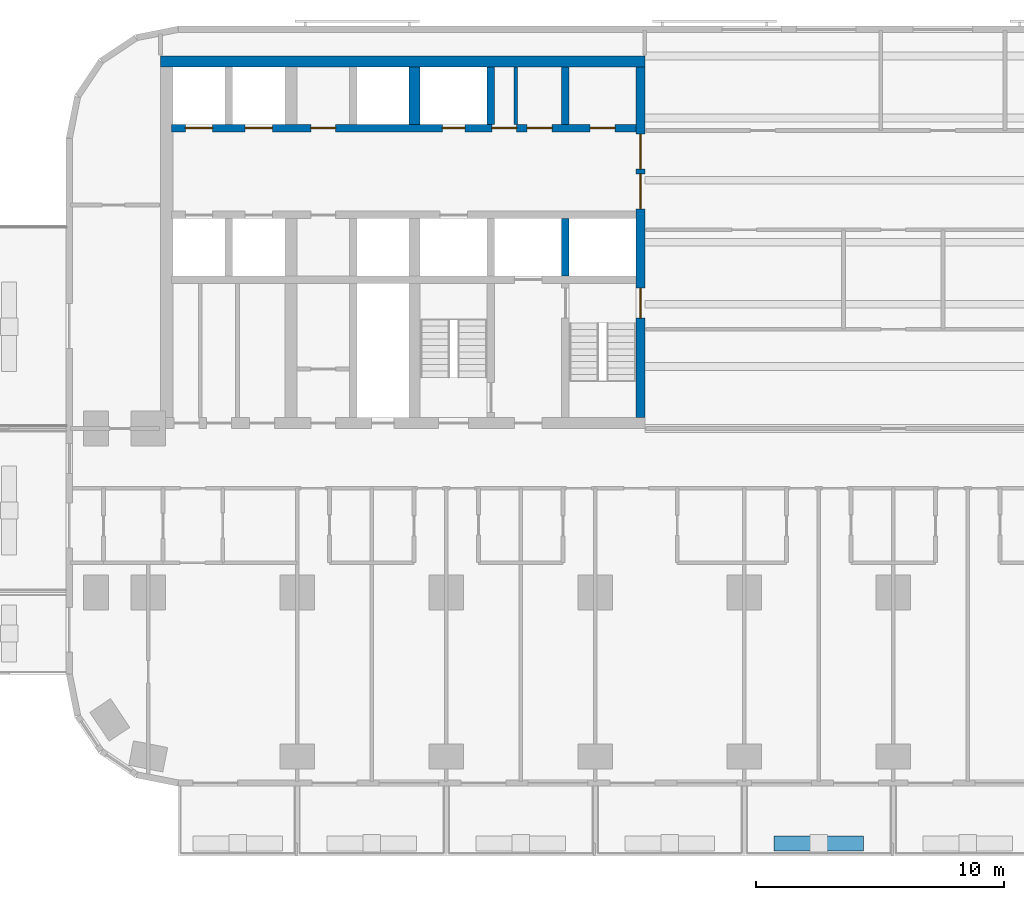
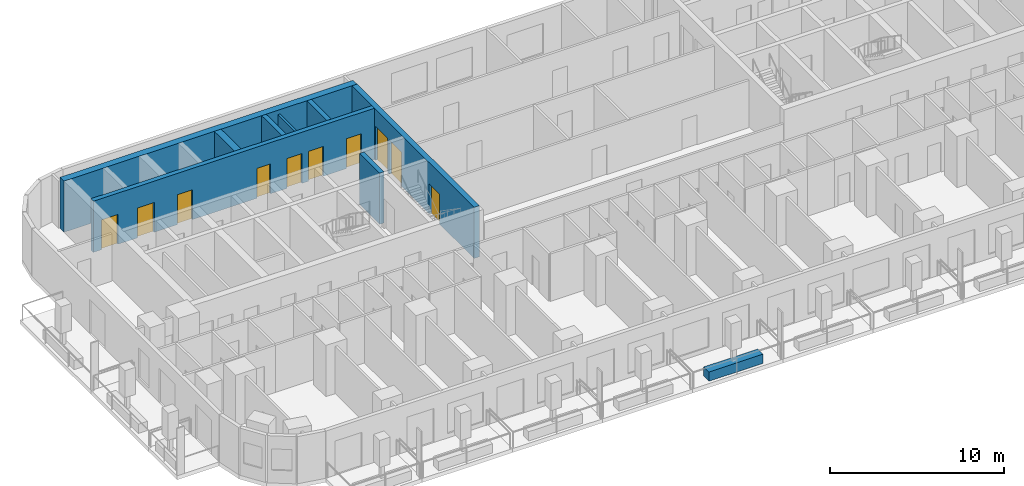
# One storey, part 4 of 15: 10 doors, 9 walls, 10 openings.
"""IFC4 building model written with IfcOpenShell, lengths in metres."""

from ifc_helpers import new_model, si_unit, direction, frame, frame_2d, origin, place, context, subcontext, project, spatial, rectangle, extrude, material, layer, layer_set, type_object, element, fill, save


model = new_model("IFC4")

# Units and contexts
model_context = context("Model", 3, precision=1e-05, world=origin(), true_north=direction((0.0, 1.0)))
body_context = subcontext(model_context, "Body", "Model", "MODEL_VIEW")
ifc_project = project(units=[si_unit("LENGTHUNIT", "METRE"), si_unit("AREAUNIT", "SQUARE_METRE"), si_unit("VOLUMEUNIT", "CUBIC_METRE"), si_unit("PLANEANGLEUNIT", "RADIAN"), si_unit("MASSUNIT", "GRAM", prefix="KILO")], contexts=[model_context])

# Site, building, storey
site_placement = place(None, origin())
site = spatial("IfcSite", under=ifc_project, at=site_placement, CompositionType="ELEMENT")
building_placement = place(site_placement, origin())
building = spatial("IfcBuilding", under=site, at=building_placement, Name="Torana Hotel and Residences", CompositionType="ELEMENT")
storey_placement = place(building_placement, frame((0.0, 0.0, 49.199951171875)))
storey = spatial("IfcBuildingStorey", under=building, at=storey_placement, Name="L11", CompositionType="ELEMENT", Elevation=49.199951171875)

# Wall, openings, doors
ifc_material_1 = material(Name="Concrete C80/95", Category="concrete")
ifc_layer_1 = layer(ifc_material_1, 0.300048828125)
ifc_layer_set_1 = layer_set([ifc_layer_1], Name="CORE WALL 300 C80/95")
wall_type_1 = type_object("IfcWallType", Name="CORE WALL 300 C80/95", PredefinedType="SHEAR", material=ifc_layer_set_1)
wall_1_placement = place(storey_placement, frame((-29.050048828125, -2.89990234375, 0.0), z_axis=(0.0, 0.0, 1.0), x_axis=(1.0, 0.0, 0.0)))
wall_1 = element("IfcWall", 1, at=wall_1_placement, inside=storey, type_object=wall_type_1, Name="Core wall W row-N", PredefinedType="SHEAR", context=body_context, shape_type="SweptSolid", body=[
    extrude(rectangle(XDim=18.699951171875, YDim=0.300048828125, at=frame_2d((9.35009765625, 0.0))), origin(), (0.0, 0.0, 1.0), 3.60009765625),
])
opening_1_placement = place(wall_1_placement, frame((2.949951171875, 0.0, 0.0)))
opening_1 = element("IfcOpeningElement", 2, at=opening_1_placement, cuts=wall_1, Name="Opening LD", PredefinedType="OPENING", context=body_context, shape_type="SweptSolid", body=[
    extrude(rectangle(XDim=1.10009765625, YDim=2.10009765625, at=frame_2d((0.550048828125, 1.050048828125))), frame((0.0, 0.159912109375, 0.0), z_axis=(0.0, -1.0, 0.0), x_axis=(1.0, 0.0, 0.0)), (0.0, 0.0, 1.0), 0.320068359375),
])
opening_2_placement = place(wall_1_placement, frame((0.550048828125, 0.0, 0.0)))
opening_2 = element("IfcOpeningElement", 3, at=opening_2_placement, cuts=wall_1, Name="Opening LD", PredefinedType="OPENING", context=body_context, shape_type="SweptSolid", body=[
    extrude(rectangle(XDim=1.10009765625, YDim=2.10009765625, at=frame_2d((0.550048828125, 1.050048828125))), frame((0.0, 0.159912109375, 0.0), z_axis=(0.0, -1.0, 0.0), x_axis=(1.0, 0.0, 0.0)), (0.0, 0.0, 1.0), 0.320068359375),
])
opening_3_placement = place(wall_1_placement, frame((10.89990234375, 0.0, 0.0)))
opening_3 = element("IfcOpeningElement", 4, at=opening_3_placement, cuts=wall_1, Name="Opening L11-11", PredefinedType="OPENING", context=body_context, shape_type="SweptSolid", body=[
    extrude(rectangle(XDim=0.89990234375, YDim=2.10009765625, at=frame_2d((0.449951171875, 1.050048828125))), frame((0.0, 0.159912109375, 0.0), z_axis=(0.0, -1.0, 0.0), x_axis=(1.0, 0.0, 0.0)), (0.0, 0.0, 1.0), 0.320068359375),
])
opening_4_placement = place(wall_1_placement, frame((16.85009765625, 0.0, 0.0)))
opening_4 = element("IfcOpeningElement", 5, at=opening_4_placement, cuts=wall_1, Name="Opening L11-12", PredefinedType="OPENING", context=body_context, shape_type="SweptSolid", body=[
    extrude(rectangle(XDim=1.0, YDim=2.10009765625, at=frame_2d((0.5, 1.050048828125))), frame((0.0, 0.159912109375, 0.0), z_axis=(0.0, -1.0, 0.0), x_axis=(1.0, 0.0, 0.0)), (0.0, 0.0, 1.0), 0.320068359375),
])
opening_5_placement = place(wall_1_placement, frame((14.3125, 0.0, 0.0)))
opening_5 = element("IfcOpeningElement", 6, at=opening_5_placement, cuts=wall_1, Name="Opening L11-13", PredefinedType="OPENING", context=body_context, shape_type="SweptSolid", body=[
    extrude(rectangle(XDim=1.0, YDim=2.10009765625, at=frame_2d((0.5, 1.050048828125))), frame((0.0, 0.159912109375, 0.0), z_axis=(0.0, -1.0, 0.0), x_axis=(1.0, 0.0, 0.0)), (0.0, 0.0, 1.0), 0.320068359375),
])
opening_6_placement = place(wall_1_placement, frame((12.887451171875, 0.0, 0.0)))
opening_6 = element("IfcOpeningElement", 7, at=opening_6_placement, cuts=wall_1, Name="Opening L11-14", PredefinedType="OPENING", context=body_context, shape_type="SweptSolid", body=[
    extrude(rectangle(XDim=1.0, YDim=2.10009765625, at=frame_2d((0.5, 1.050048828125))), frame((0.0, 0.159912109375, 0.0), z_axis=(0.0, -1.0, 0.0), x_axis=(1.0, 0.0, 0.0)), (0.0, 0.0, 1.0), 0.320068359375),
])
opening_7_placement = place(wall_1_placement, frame((5.60009765625, 0.0, 0.0)))
opening_7 = element("IfcOpeningElement", 8, at=opening_7_placement, cuts=wall_1, Name="Opening L11-15", PredefinedType="OPENING", context=body_context, shape_type="SweptSolid", body=[
    extrude(rectangle(XDim=1.0, YDim=2.10009765625, at=frame_2d((0.5, 1.050048828125))), frame((0.0, 0.159912109375, 0.0), z_axis=(0.0, -1.0, 0.0), x_axis=(1.0, 0.0, 0.0)), (0.0, 0.0, 1.0), 0.320068359375),
])
ifc_material_2 = material(Name="Steel S235", Category="steel")
door_type_1 = type_object("IfcDoorType", Name="CORE ROOM FIRE DOOR D14 1000x2100", OperationType="SINGLE_SWING_LEFT", PredefinedType="DOOR", material=ifc_material_2)
door_1_placement = place(opening_4_placement, origin())
door_1 = element("IfcDoor", 9, at=door_1_placement, inside=storey, type_object=door_type_1, Name="N0 door L11", OperationType="SINGLE_SWING_RIGHT", OverallHeight=2.10009765625, OverallWidth=1.0, PredefinedType="DOOR", context=body_context, shape_type="SweptSolid", body=[
    extrude(rectangle(XDim=1.0, YDim=2.10009765625, at=frame_2d((0.5, 1.050048828125))), frame((0.0, 0.02490234375, 0.0), z_axis=(0.0, -1.0, 0.0), x_axis=(1.0, 0.0, 0.0)), (0.0, 0.0, 1.0), 0.050048828125),
])
fill(opening_4, door_1)
door_2_placement = place(opening_5_placement, origin())
door_2 = element("IfcDoor", 10, at=door_2_placement, inside=storey, type_object=door_type_1, Name="N1A door L11", OperationType="SINGLE_SWING_RIGHT", OverallHeight=2.10009765625, OverallWidth=1.0, PredefinedType="DOOR", context=body_context, shape_type="SweptSolid", body=[
    extrude(rectangle(XDim=1.0, YDim=2.10009765625, at=frame_2d((0.5, 1.050048828125))), frame((0.0, 0.02490234375, 0.0), z_axis=(0.0, -1.0, 0.0), x_axis=(1.0, 0.0, 0.0)), (0.0, 0.0, 1.0), 0.050048828125),
])
fill(opening_5, door_2)
door_3_placement = place(opening_6_placement, origin())
door_3 = element("IfcDoor", 11, at=door_3_placement, inside=storey, type_object=door_type_1, Name="N1B door L11", OperationType="SINGLE_SWING_RIGHT", OverallHeight=2.10009765625, OverallWidth=1.0, PredefinedType="DOOR", context=body_context, shape_type="SweptSolid", body=[
    extrude(rectangle(XDim=1.0, YDim=2.10009765625, at=frame_2d((0.5, 1.050048828125))), frame((0.0, 0.02490234375, 0.0), z_axis=(0.0, -1.0, 0.0), x_axis=(1.0, 0.0, 0.0)), (0.0, 0.0, 1.0), 0.050048828125),
])
fill(opening_6, door_3)
door_4_placement = place(opening_7_placement, origin())
door_4 = element("IfcDoor", 12, at=door_4_placement, inside=storey, type_object=door_type_1, Name="Free-M1 door L11", OperationType="SINGLE_SWING_RIGHT", OverallHeight=2.10009765625, OverallWidth=1.0, PredefinedType="DOOR", context=body_context, shape_type="SweptSolid", body=[
    extrude(rectangle(XDim=1.0, YDim=2.10009765625, at=frame_2d((0.5, 1.050048828125))), frame((0.0, 0.02490234375, 0.0), z_axis=(0.0, -1.0, 0.0), x_axis=(1.0, 0.0, 0.0)), (0.0, 0.0, 1.0), 0.050048828125),
])
fill(opening_7, door_4)
ifc_material_3 = material(Name="Stainless steel 316", Category="steel")
door_type_2 = type_object("IfcDoorType", Name="LIFT LANDING DOOR LD 1100x2100", OperationType="DOUBLE_DOOR_SLIDING", PredefinedType="USERDEFINED", material=ifc_material_3)
door_5_placement = place(opening_1_placement, origin())
door_5 = element("IfcDoor", 13, at=door_5_placement, inside=storey, type_object=door_type_2, Name="Lift landing door L1 L11", ObjectType="LIFT LANDING DOOR", OperationType="DOUBLE_DOOR_SLIDING", OverallHeight=2.10009765625, OverallWidth=1.10009765625, PredefinedType="USERDEFINED", context=body_context, shape_type="SweptSolid", body=[
    extrude(rectangle(XDim=1.10009765625, YDim=2.10009765625, at=frame_2d((0.550048828125, 1.050048828125))), frame((0.0, 0.02490234375, 0.0), z_axis=(0.0, -1.0, 0.0), x_axis=(1.0, 0.0, 0.0)), (0.0, 0.0, 1.0), 0.050048828125),
])
fill(opening_1, door_5)
door_6_placement = place(opening_2_placement, origin())
door_6 = element("IfcDoor", 14, at=door_6_placement, inside=storey, type_object=door_type_2, Name="Lift landing door L2 L11", ObjectType="LIFT LANDING DOOR", OperationType="DOUBLE_DOOR_SLIDING", OverallHeight=2.10009765625, OverallWidth=1.10009765625, PredefinedType="USERDEFINED", context=body_context, shape_type="SweptSolid", body=[
    extrude(rectangle(XDim=1.10009765625, YDim=2.10009765625, at=frame_2d((0.550048828125, 1.050048828125))), frame((0.0, 0.02490234375, 0.0), z_axis=(0.0, -1.0, 0.0), x_axis=(1.0, 0.0, 0.0)), (0.0, 0.0, 1.0), 0.050048828125),
])
fill(opening_2, door_6)
ifc_material_4 = material(Name="Steel S235", Category="steel")
door_type_3 = type_object("IfcDoorType", Name="RISER ACCESS DOOR D5 900x2100", OperationType="SINGLE_SWING_LEFT", PredefinedType="DOOR", material=ifc_material_4)
door_7_placement = place(opening_3_placement, origin())
door_7 = element("IfcDoor", 15, at=door_7_placement, inside=storey, type_object=door_type_3, Name="N2 door L11", OperationType="SINGLE_SWING_RIGHT", OverallHeight=2.10009765625, OverallWidth=0.89990234375, PredefinedType="DOOR", context=body_context, shape_type="SweptSolid", body=[
    extrude(rectangle(XDim=0.89990234375, YDim=2.10009765625, at=frame_2d((0.449951171875, 1.050048828125))), frame((0.0, 0.02490234375, 0.0), z_axis=(0.0, -1.0, 0.0), x_axis=(1.0, 0.0, 0.0)), (0.0, 0.0, 1.0), 0.050048828125),
])
fill(opening_3, door_7)

# Walls
for number, where, z_axis, x_axis, name in (
    (16, (-13.199951171875, -2.75, 0.0), (0.0, 0.0, 1.0), (0.0, 1.0, 0.0), "Core wall W x3.05-N"),
    (17, (-13.199951171875, -8.85009765625, 0.0), (0.0, 0.0, 1.0), (0.0, 1.0, 0.0), "Core wall W x3.05-S"),
    (18, (-16.199951171875, -2.75, 0.0), (0.0, 0.0, 1.0), (0.0, 1.0, 0.0), "Core wall W x6.05-N"),
):
    element("IfcWall", number, at=place(storey_placement, frame(where, z_axis=z_axis, x_axis=x_axis)), inside=storey, type_object=wall_type_1, Name=name, PredefinedType="SHEAR", context=body_context, shape_type="SweptSolid", body=[
        extrude(rectangle(XDim=2.300048828125, YDim=0.300048828125, at=frame_2d((1.14990234375, 0.0))), origin(), (0.0, 0.0, 1.0), 3.60009765625),
    ])

# Wall, openings, doors
ifc_material_5 = material(Name="Concrete C80/95", Category="concrete")
ifc_layer_2 = layer(ifc_material_5, 0.35009765625)
ifc_layer_set_2 = layer_set([ifc_layer_2], Name="CORE WALL 350 C80/95")
wall_type_2 = type_object("IfcWallType", Name="CORE WALL 350 C80/95", PredefinedType="SHEAR", material=ifc_layer_set_2)
wall_2_placement = place(storey_placement, frame((-10.175048828125, -14.550048828125, 0.0), z_axis=(0.0, 0.0, 1.0), x_axis=(0.0, 1.0, 0.0)))
wall_2 = element("IfcWall", 19, at=wall_2_placement, inside=storey, type_object=wall_type_2, Name="Core wall W arch", PredefinedType="SHEAR", context=body_context, shape_type="SweptSolid", body=[
    extrude(rectangle(XDim=14.10009765625, YDim=0.35009765625, at=frame_2d((7.050048828125, 0.0))), origin(), (0.0, 0.0, 1.0), 3.60009765625),
])
opening_8_placement = place(wall_2_placement, frame((8.39990234375, 0.0, 0.0)))
opening_8 = element("IfcOpeningElement", 20, at=opening_8_placement, cuts=wall_2, Name="Opening L11-01", PredefinedType="OPENING", context=body_context, shape_type="SweptSolid", body=[
    extrude(rectangle(XDim=1.39990234375, YDim=2.39990234375, at=frame_2d((0.699951171875, 1.199951171875))), frame((0.0, 0.18505859375, 0.0), z_axis=(0.0, -1.0, 0.0), x_axis=(1.0, 0.0, 0.0)), (0.0, 0.0, 1.0), 0.3701171875),
])
opening_9_placement = place(wall_2_placement, frame((10.0, 0.0, 0.0)))
opening_9 = element("IfcOpeningElement", 21, at=opening_9_placement, cuts=wall_2, Name="Opening L11-02", PredefinedType="OPENING", context=body_context, shape_type="SweptSolid", body=[
    extrude(rectangle(XDim=1.39990234375, YDim=2.39990234375, at=frame_2d((0.699951171875, 1.199951171875))), frame((0.0, 0.18505859375, 0.0), z_axis=(0.0, -1.0, 0.0), x_axis=(1.0, 0.0, 0.0)), (0.0, 0.0, 1.0), 0.3701171875),
])
opening_10_placement = place(wall_2_placement, frame((4.0, 0.0, 0.0)))
opening_10 = element("IfcOpeningElement", 22, at=opening_10_placement, cuts=wall_2, Name="Opening L11-03", PredefinedType="OPENING", context=body_context, shape_type="SweptSolid", body=[
    extrude(rectangle(XDim=1.199951171875, YDim=2.10009765625, at=frame_2d((0.60009765625, 1.050048828125))), frame((0.0, 0.18505859375, 0.0), z_axis=(0.0, -1.0, 0.0), x_axis=(1.0, 0.0, 0.0)), (0.0, 0.0, 1.0), 0.3701171875),
])
ifc_material_6 = material(Name="Steel S235", Category="steel")
door_type_4 = type_object("IfcDoorType", Name="LOBBY FIRE DOOR D4 1400x2400", OperationType="DOUBLE_DOOR_SINGLE_SWING", PredefinedType="DOOR", material=ifc_material_6)
door_8_placement = place(opening_8_placement, origin())
door_8 = element("IfcDoor", 23, at=door_8_placement, inside=storey, type_object=door_type_4, Name="Lobby-1 door L11", OperationType="DOUBLE_DOOR_SINGLE_SWING", OverallHeight=2.39990234375, OverallWidth=1.39990234375, PredefinedType="DOOR", context=body_context, shape_type="SweptSolid", body=[
    extrude(rectangle(XDim=1.39990234375, YDim=2.39990234375, at=frame_2d((0.699951171875, 1.199951171875))), frame((0.0, 0.02490234375, 0.0), z_axis=(0.0, -1.0, 0.0), x_axis=(1.0, 0.0, 0.0)), (0.0, 0.0, 1.0), 0.050048828125),
])
fill(opening_8, door_8)
door_9_placement = place(opening_9_placement, origin())
door_9 = element("IfcDoor", 24, at=door_9_placement, inside=storey, type_object=door_type_4, Name="Lobby-2 door L11", OperationType="DOUBLE_DOOR_SINGLE_SWING", OverallHeight=2.39990234375, OverallWidth=1.39990234375, PredefinedType="DOOR", context=body_context, shape_type="SweptSolid", body=[
    extrude(rectangle(XDim=1.39990234375, YDim=2.39990234375, at=frame_2d((0.699951171875, 1.199951171875))), frame((0.0, 0.02490234375, 0.0), z_axis=(0.0, -1.0, 0.0), x_axis=(1.0, 0.0, 0.0)), (0.0, 0.0, 1.0), 0.050048828125),
])
fill(opening_9, door_9)
ifc_material_7 = material(Name="Steel S235", Category="steel")
door_type_5 = type_object("IfcDoorType", Name="STAIR FIRE DOOR D3 1200x2100", OperationType="SINGLE_SWING_LEFT", PredefinedType="DOOR", material=ifc_material_7)
door_10_placement = place(opening_10_placement, origin())
door_10 = element("IfcDoor", 25, at=door_10_placement, inside=storey, type_object=door_type_5, Name="Stair-A door L11", OperationType="SINGLE_SWING_LEFT", OverallHeight=2.10009765625, OverallWidth=1.199951171875, PredefinedType="DOOR", context=body_context, shape_type="SweptSolid", body=[
    extrude(rectangle(XDim=1.199951171875, YDim=2.10009765625, at=frame_2d((0.60009765625, 1.050048828125))), frame((0.0, 0.02490234375, 0.0), z_axis=(0.0, -1.0, 0.0), x_axis=(1.0, 0.0, 0.0)), (0.0, 0.0, 1.0), 0.050048828125),
])
fill(opening_10, door_10)

# Walls
ifc_material_8 = material(Name="Concrete C80/95", Category="concrete")
ifc_layer_3 = layer(ifc_material_8, 0.449951171875)
ifc_layer_set_3 = layer_set([ifc_layer_3], Name="CORE WALL 450 C80/95")
wall_type_3 = type_object("IfcWallType", Name="CORE WALL 450 C80/95", PredefinedType="SHEAR", material=ifc_layer_set_3)
wall_3_placement = place(storey_placement, frame((-29.5, -0.22509765625, 0.0), z_axis=(0.0, 0.0, 1.0), x_axis=(1.0, 0.0, 0.0)))
element("IfcWall", 26, at=wall_3_placement, inside=storey, type_object=wall_type_3, Name="Core wall W rear", PredefinedType="SHEAR", context=body_context, shape_type="SweptSolid", body=[
    extrude(rectangle(XDim=19.5, YDim=0.449951171875, at=frame_2d((9.75, 0.0))), origin(), (0.0, 0.0, 1.0), 3.60009765625),
])
wall_4_placement = place(storey_placement, frame((-19.27490234375, -2.75, 0.0), z_axis=(0.0, 0.0, 1.0), x_axis=(0.0, 1.0, 0.0)))
element("IfcWall", 27, at=wall_4_placement, inside=storey, type_object=wall_type_3, Name="Core wall W hm-N", PredefinedType="SHEAR", context=body_context, shape_type="SweptSolid", body=[
    extrude(rectangle(XDim=2.300048828125, YDim=0.449951171875, at=frame_2d((1.14990234375, 0.0))), origin(), (0.0, 0.0, 1.0), 3.60009765625),
])
ifc_material_9 = material(Name="Gypsum plaster")
ifc_layer_4 = layer(ifc_material_9, 0.014892578125, Name="Plaster", Category="finish")
ifc_material_10 = material(Name="Concrete blockwork", Category="masonry")
ifc_layer_5 = layer(ifc_material_10, 0.1201171875, Name="Blockwork", Category="structure")
ifc_layer_6 = layer(ifc_material_9, 0.014892578125, Name="Plaster", Category="finish")
ifc_layer_set_4 = layer_set([ifc_layer_4, ifc_layer_5, ifc_layer_6], Name="FIRE PARTITION 150 BLOCKWORK")
wall_type_4 = type_object("IfcWallType", Name="FIRE PARTITION 150 BLOCKWORK", PredefinedType="PARTITIONING", material=ifc_layer_set_4)
wall_5_placement = place(storey_placement, frame((-15.199951171875, -2.75, 0.0), z_axis=(0.0, 0.0, 1.0), x_axis=(0.0, 1.0, 0.0)))
element("IfcWall", 28, at=wall_5_placement, inside=storey, type_object=wall_type_4, Name="Core partition L11", PredefinedType="PARTITIONING", context=body_context, shape_type="SweptSolid", body=[
    extrude(rectangle(XDim=2.300048828125, YDim=0.14990234375, at=frame_2d((1.14990234375, 0.0))), origin(), (0.0, 0.0, 1.0), 3.300048828125),
])
ifc_material_11 = material(Name="Concrete C40/50 precast", Category="concrete")
ifc_layer_7 = layer(ifc_material_11, 0.10009765625, Name="Planter shell", Category="structure")
ifc_material_12 = material(Name="Root resistant membrane")
ifc_layer_8 = layer(ifc_material_12, 0.00390625, Name="Waterproofing membrane", Category="membrane")
ifc_material_13 = material(Name="Drainage board with filter fleece")
ifc_layer_9 = layer(ifc_material_13, 0.02001953125, Name="Drainage board", Category="drainage")
ifc_material_14 = material(Name="Growing medium")
ifc_layer_10 = layer(ifc_material_14, 0.47607421875, Name="Planting substrate", Category="soil")
ifc_layer_set_5 = layer_set([ifc_layer_7, ifc_layer_8, ifc_layer_9, ifc_layer_10], Name="PL1 BALCONY PLANTER 600")
wall_type_5 = type_object("IfcWallType", Name="PL1 BALCONY PLANTER 600", PredefinedType="USERDEFINED", material=ifc_layer_set_5)
wall_6_placement = place(storey_placement, frame((-1.199951171875, -31.699951171875, 0.0), z_axis=(0.0, 0.0, 1.0), x_axis=(-1.0, 0.0, 0.0)))
element("IfcWall", 29, at=wall_6_placement, inside=storey, type_object=wall_type_5, Name="Planter 05", ObjectType="PLANTER", PredefinedType="USERDEFINED", context=body_context, shape_type="SweptSolid", body=[
    extrude(rectangle(XDim=3.60009765625, YDim=0.60009765625, at=frame_2d((1.800048828125, 0.0))), origin(), (0.0, 0.0, 1.0), 0.650146484375),
])

save(model, "model.ifc")
